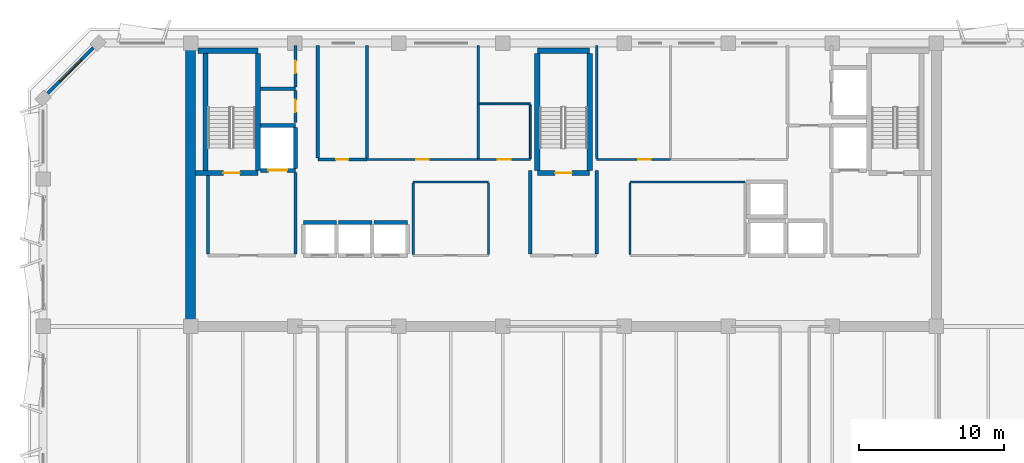
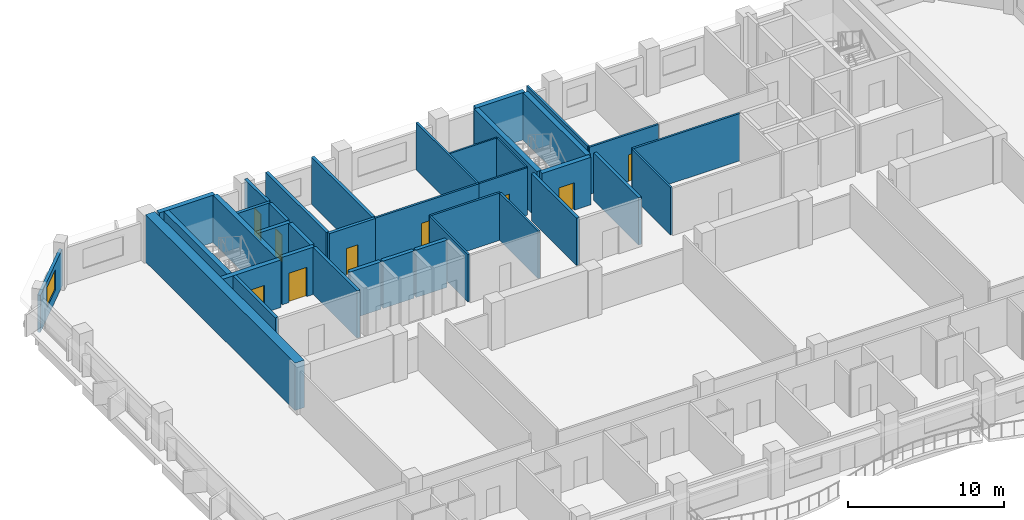
# One storey, part 6 of 11: 38 walls, 9 doors, 1 window, 10 openings.
"""IFC4 building model written with IfcOpenShell, lengths in metres."""

from ifc_helpers import new_model, si_unit, direction, frame, frame_2d, origin, place, context, subcontext, project, spatial, rectangle, extrude, material, layer, layer_set, type_object, element, fill, save


model = new_model("IFC4")

# Units and contexts
model_context = context("Model", 3, precision=1e-05, world=origin(), true_north=direction((0.0, 1.0)))
body_context = subcontext(model_context, "Body", "Model", "MODEL_VIEW")
ifc_project = project(units=[si_unit("LENGTHUNIT", "METRE"), si_unit("AREAUNIT", "SQUARE_METRE"), si_unit("VOLUMEUNIT", "CUBIC_METRE"), si_unit("PLANEANGLEUNIT", "RADIAN"), si_unit("MASSUNIT", "GRAM", prefix="KILO")], contexts=[model_context])

# Site, building, storey
site_placement = place(None, origin())
site = spatial("IfcSite", under=ifc_project, at=site_placement, CompositionType="ELEMENT")
building_placement = place(site_placement, origin())
building = spatial("IfcBuilding", under=site, at=building_placement, Name="Kaelvorn Grand Hotel", CompositionType="ELEMENT")
storey_placement = place(building_placement, frame((0.0, 0.0, 241.0)))
storey = spatial("IfcBuildingStorey", under=building, at=storey_placement, Name="L59", CompositionType="ELEMENT", Elevation=241.0)

# Wall
ifc_material_1 = material(Name="Concrete C50/60", Category="concrete")
ifc_layer_1 = layer(ifc_material_1, 0.699951171875)
ifc_layer_set_1 = layer_set([ifc_layer_1], Name="Concrete C50/60")
wall_type_1 = type_object("IfcWallType", Name="WL-CORE-700-C50", PredefinedType="SHEAR", material=ifc_layer_set_1)
wall_1_placement = place(storey_placement, frame((16.199951171875, 29.39990234375, 0.0), z_axis=(0.0, 0.0, 1.0), x_axis=(0.0, 1.0, 0.0)))
element("IfcWall", 1, at=wall_1_placement, inside=storey, type_object=wall_type_1, Name="L59 Rear-Core West Shear Wall", PredefinedType="SHEAR", context=body_context, shape_type="SweptSolid", body=[
    extrude(rectangle(XDim=19.2001953125, YDim=0.699951171875, at=frame_2d((9.60009765625, 0.0))), origin(), (0.0, 0.0, 1.0), 3.7099609375),
])

# Wall, opening, window
ifc_material_2 = material(Name="Concrete C40/50", Category="concrete")
ifc_layer_2 = layer(ifc_material_2, 0.219970703125)
ifc_layer_set_2 = layer_set([ifc_layer_2], Name="Concrete C40/50")
wall_type_2 = type_object("IfcWallType", Name="WL-EXT-220-C40", PredefinedType="SOLIDWALL", material=ifc_layer_set_2)
wall_2_placement = place(storey_placement, frame((9.800048828125, 49.0, 0.0), z_axis=(0.0, 0.0, 1.0), x_axis=(-0.707106781187, -0.707106781187, 0.0)))
wall_2 = element("IfcWall", 2, at=wall_2_placement, inside=storey, type_object=wall_type_2, Name="L59 Exterior Architectural Concrete Wall 06", PredefinedType="SOLIDWALL", context=body_context, shape_type="SweptSolid", body=[
    extrude(rectangle(XDim=5.3740234375, YDim=0.219970703125, at=frame_2d((2.68701171875, 0.0))), origin(), (0.0, 0.0, 1.0), 2.909912109375),
])
opening_1_placement = place(wall_2_placement, frame((1.636962890625, 0.0, 0.85009765625)))
opening_1 = element("IfcOpeningElement", 3, at=opening_1_placement, cuts=wall_2, Name="Opening W7", PredefinedType="OPENING", context=body_context, shape_type="SweptSolid", body=[
    extrude(rectangle(XDim=2.10009765625, YDim=1.60009765625, at=frame_2d((1.050048828125, 0.800048828125))), frame((0.0, 0.1201171875, 0.0), z_axis=(0.0, -1.0, 0.0), x_axis=(1.0, 0.0, 0.0)), (0.0, 0.0, 1.0), 0.239990234375),
])
ifc_material_3 = material(Name="Laminated Low-E Glass", Category="glass")
window_type = type_object("IfcWindowType", Name="WIN-CHM-2100x1600", PartitioningType="SINGLE_PANEL", PredefinedType="WINDOW", material=ifc_material_3)
window_placement = place(opening_1_placement, origin())
window = element("IfcWindow", 4, at=window_placement, inside=storey, type_object=window_type, Name="L59 Chamfered 45-Degree Corner Window NW", OverallHeight=1.60009765625, OverallWidth=2.10009765625, PartitioningType="SINGLE_PANEL", PredefinedType="WINDOW", context=body_context, shape_type="SweptSolid", body=[
    extrude(rectangle(XDim=2.10009765625, YDim=1.60009765625, at=frame_2d((1.050048828125, 0.800048828125))), frame((0.0, 0.030029296875, 0.0), z_axis=(0.0, -1.0, 0.0), x_axis=(1.0, 0.0, 0.0)), (0.0, 0.0, 1.0), 0.06005859375),
])
fill(opening_1, window)

# Wall, opening, door
ifc_material_4 = material(Name="Moisture-Resistant Tile & Stud Board")
ifc_layer_3 = layer(ifc_material_4, 0.125)
ifc_layer_set_3 = layer_set([ifc_layer_3], Name="Moisture-Resistant Tile & Stud Board")
wall_type_3 = type_object("IfcWallType", Name="WL-PART-125-WET", PredefinedType="PARTITIONING", material=ifc_layer_set_3)
wall_3_placement = place(storey_placement, frame((36.110107421875, 40.949951171875, 0.0), z_axis=(0.0, 0.0, 1.0), x_axis=(1.0, 0.0, 0.0)))
wall_3 = element("IfcWall", 5, at=wall_3_placement, inside=storey, type_object=wall_type_3, Name="L59 Accessible WC S Partition", PredefinedType="PARTITIONING", context=body_context, shape_type="SweptSolid", body=[
    extrude(rectangle(XDim=3.58984375, YDim=0.125, at=frame_2d((1.794921875, 0.0))), origin(), (0.0, 0.0, 1.0), 3.7099609375),
])
opening_2_placement = place(wall_3_placement, frame((1.340087890625, 0.0, 0.0)))
opening_2 = element("IfcOpeningElement", 6, at=opening_2_placement, cuts=wall_3, Name="Opening DI4", PredefinedType="OPENING", context=body_context, shape_type="SweptSolid", body=[
    extrude(rectangle(XDim=0.89990234375, YDim=2.10009765625, at=frame_2d((0.449951171875, 1.050048828125))), frame((0.0, 0.072509765625, 0.0), z_axis=(0.0, -1.0, 0.0), x_axis=(1.0, 0.0, 0.0)), (0.0, 0.0, 1.0), 0.14501953125),
])
ifc_material_5 = material(Name="Timber Veneer Leaf", Category="wood")
door_type_1 = type_object("IfcDoorType", Name="DR-INT-BATH-900x2100", OperationType="NOTDEFINED", PredefinedType="DOOR", material=ifc_material_5)
door_1_placement = place(opening_2_placement, origin())
door_1 = element("IfcDoor", 7, at=door_1_placement, inside=storey, type_object=door_type_1, Name="L59 Accessible WC Door", OperationType="SINGLE_SWING_RIGHT", OverallHeight=2.10009765625, OverallWidth=0.89990234375, PredefinedType="DOOR", context=body_context, shape_type="SweptSolid", body=[
    extrude(rectangle(XDim=0.89990234375, YDim=2.10009765625, at=frame_2d((0.449951171875, 1.050048828125))), frame((0.0, 0.02490234375, 0.0), z_axis=(0.0, -1.0, 0.0), x_axis=(1.0, 0.0, 0.0)), (0.0, 0.0, 1.0), 0.050048828125),
])
fill(opening_2, door_1)

# Walls
wall_4_placement = place(storey_placement, frame((36.179931640625, 44.800048828125, 0.0), z_axis=(0.0, 0.0, 1.0), x_axis=(1.0, 0.0, 0.0)))
element("IfcWall", 8, at=wall_4_placement, inside=storey, type_object=wall_type_3, Name="L59 Accessible WC N Partition", PredefinedType="PARTITIONING", context=body_context, shape_type="SweptSolid", body=[
    extrude(rectangle(XDim=3.52001953125, YDim=0.125, at=frame_2d((1.760009765625, 0.0))), origin(), (0.0, 0.0, 1.0), 3.7099609375),
])
wall_5_placement = place(storey_placement, frame((39.699951171875, 41.017578125, 0.0), z_axis=(0.0, 0.0, 1.0), x_axis=(0.0, 1.0, 0.0)))
element("IfcWall", 9, at=wall_5_placement, inside=storey, type_object=wall_type_3, Name="L59 Accessible WC E Partition", PredefinedType="PARTITIONING", context=body_context, shape_type="SweptSolid", body=[
    extrude(rectangle(XDim=3.71484375, YDim=0.125, at=frame_2d((1.857421875, 0.0))), origin(), (0.0, 0.0, 1.0), 3.7099609375),
])
ifc_material_6 = material(Name="Acoustic Gypsum & Stud Partition")
ifc_layer_4 = layer(ifc_material_6, 0.14990234375)
ifc_layer_set_4 = layer_set([ifc_layer_4], Name="Acoustic Gypsum & Stud Partition")
wall_type_4 = type_object("IfcWallType", Name="WL-PART-150-EI60", PredefinedType="PARTITIONING", material=ifc_layer_set_4)
wall_6_placement = place(storey_placement, frame((31.60009765625, 39.39990234375, 0.0), z_axis=(0.0, 0.0, 1.0), x_axis=(1.0, 0.0, 0.0)))
element("IfcWall", 10, at=wall_6_placement, inside=storey, type_object=wall_type_4, Name="L59 Core Telecoms & BMS Server Room N Partition", PredefinedType="PARTITIONING", context=body_context, shape_type="SweptSolid", body=[
    extrude(rectangle(XDim=5.199951171875, YDim=0.14990234375, at=frame_2d((2.60009765625, 0.0))), origin(), (0.0, 0.0, 1.0), 3.7099609375),
])
for number, where, z_axis, x_axis, name in (
    (11, (31.60009765625, 34.3798828125, 0.0), (0.0, 0.0, 1.0), (0.0, 1.0, 0.0), "L59 Core Telecoms & BMS Server Room W Partition"),
    (12, (36.800048828125, 34.3798828125, 0.0), (0.0, 0.0, 1.0), (0.0, 1.0, 0.0), "L59 Core Telecoms & BMS Server Room E Partition"),
):
    element("IfcWall", number, at=place(storey_placement, frame(where, z_axis=z_axis, x_axis=x_axis)), inside=storey, type_object=wall_type_4, Name=name, PredefinedType="PARTITIONING", context=body_context, shape_type="SweptSolid", body=[
        extrude(rectangle(XDim=4.940185546875, YDim=0.14990234375, at=frame_2d((2.47021484375, 0.0))), origin(), (0.0, 0.0, 1.0), 3.7099609375),
    ])
wall_7_placement = place(storey_placement, frame((46.60009765625, 39.39990234375, 0.0), z_axis=(0.0, 0.0, 1.0), x_axis=(1.0, 0.0, 0.0)))
element("IfcWall", 13, at=wall_7_placement, inside=storey, type_object=wall_type_4, Name="L59 Sky Concierge & Butler Pantry Lounge N Partition", PredefinedType="PARTITIONING", context=body_context, shape_type="SweptSolid", body=[
    extrude(rectangle(XDim=7.949951171875, YDim=0.14990234375, at=frame_2d((3.97509765625, 0.0))), origin(), (0.0, 0.0, 1.0), 3.7099609375),
])
wall_8_placement = place(storey_placement, frame((46.60009765625, 34.3798828125, 0.0), z_axis=(0.0, 0.0, 1.0), x_axis=(0.0, 1.0, 0.0)))
element("IfcWall", 14, at=wall_8_placement, inside=storey, type_object=wall_type_4, Name="L59 Sky Concierge & Butler Pantry Lounge W Partition", PredefinedType="PARTITIONING", context=body_context, shape_type="SweptSolid", body=[
    extrude(rectangle(XDim=4.940185546875, YDim=0.14990234375, at=frame_2d((2.47021484375, 0.0))), origin(), (0.0, 0.0, 1.0), 3.7099609375),
])

# Wall, opening, door
wall_9_placement = place(storey_placement, frame((28.409912109375, 40.949951171875, 0.0), z_axis=(0.0, 0.0, 1.0), x_axis=(1.0, 0.0, 0.0)))
wall_9 = element("IfcWall", 15, at=wall_9_placement, inside=storey, type_object=wall_type_4, Name="L59 Housekeeping & Linen Room S Partition", PredefinedType="PARTITIONING", context=body_context, shape_type="SweptSolid", body=[
    extrude(rectangle(XDim=7.690185546875, YDim=0.14990234375, at=frame_2d((3.84521484375, 0.0))), origin(), (0.0, 0.0, 1.0), 3.7099609375),
])
opening_3_placement = place(wall_9_placement, frame((3.4150390625, 0.0, 0.0)))
opening_3 = element("IfcOpeningElement", 16, at=opening_3_placement, cuts=wall_9, Name="Opening DI7", PredefinedType="OPENING", context=body_context, shape_type="SweptSolid", body=[
    extrude(rectangle(XDim=0.85009765625, YDim=2.10009765625, at=frame_2d((0.425048828125, 1.050048828125))), frame((0.0, 0.0849609375, 0.0), z_axis=(0.0, -1.0, 0.0), x_axis=(1.0, 0.0, 0.0)), (0.0, 0.0, 1.0), 0.169921875),
])
ifc_material_7 = material(Name="Powder-Coated Steel Leaf", Category="steel")
door_type_2 = type_object("IfcDoorType", Name="DR-INT-RISER-850x2100", OperationType="NOTDEFINED", PredefinedType="DOOR", material=ifc_material_7)
door_2_placement = place(opening_3_placement, origin())
door_2 = element("IfcDoor", 17, at=door_2_placement, inside=storey, type_object=door_type_2, Name="L59 Housekeeping & Linen Room Door", OperationType="SINGLE_SWING_LEFT", OverallHeight=2.10009765625, OverallWidth=0.85009765625, PredefinedType="DOOR", context=body_context, shape_type="SweptSolid", body=[
    extrude(rectangle(XDim=0.85009765625, YDim=2.10009765625, at=frame_2d((0.425048828125, 1.050048828125))), frame((0.0, 0.02490234375, 0.0), z_axis=(0.0, -1.0, 0.0), x_axis=(1.0, 0.0, 0.0)), (0.0, 0.0, 1.0), 0.050048828125),
])
fill(opening_3, door_2)

# Wall
wall_10_placement = place(storey_placement, frame((36.10009765625, 41.030029296875, 0.0), z_axis=(0.0, 0.0, 1.0), x_axis=(0.0, 1.0, 0.0)))
element("IfcWall", 18, at=wall_10_placement, inside=storey, type_object=wall_type_4, Name="L59 Housekeeping & Linen Room E Partition", PredefinedType="PARTITIONING", context=body_context, shape_type="SweptSolid", body=[
    extrude(rectangle(XDim=7.820068359375, YDim=0.14990234375, at=frame_2d((3.91015625, 0.0))), origin(), (0.0, 0.0, 1.0), 3.7099609375),
])

# Wall, opening, door
wall_11_placement = place(storey_placement, frame((44.300048828125, 40.949951171875, 0.0), z_axis=(0.0, 0.0, 1.0), x_axis=(1.0, 0.0, 0.0)))
wall_11 = element("IfcWall", 19, at=wall_11_placement, inside=storey, type_object=wall_type_4, Name="L59 Laundry Chute Vestibule S Partition", PredefinedType="PARTITIONING", context=body_context, shape_type="SweptSolid", body=[
    extrude(rectangle(XDim=5.099853515625, YDim=0.14990234375, at=frame_2d((2.5498046875, 0.0))), origin(), (0.0, 0.0, 1.0), 3.7099609375),
])
opening_4_placement = place(wall_11_placement, frame((2.875, 0.0, 0.0)))
opening_4 = element("IfcOpeningElement", 20, at=opening_4_placement, cuts=wall_11, Name="Opening DI7", PredefinedType="OPENING", context=body_context, shape_type="SweptSolid", body=[
    extrude(rectangle(XDim=0.85009765625, YDim=2.10009765625, at=frame_2d((0.425048828125, 1.050048828125))), frame((0.0, 0.0849609375, 0.0), z_axis=(0.0, -1.0, 0.0), x_axis=(1.0, 0.0, 0.0)), (0.0, 0.0, 1.0), 0.169921875),
])
door_3_placement = place(opening_4_placement, origin())
door_3 = element("IfcDoor", 21, at=door_3_placement, inside=storey, type_object=door_type_2, Name="L59 Laundry Chute Vestibule Door", OperationType="SINGLE_SWING_LEFT", OverallHeight=2.10009765625, OverallWidth=0.85009765625, PredefinedType="DOOR", context=body_context, shape_type="SweptSolid", body=[
    extrude(rectangle(XDim=0.85009765625, YDim=2.10009765625, at=frame_2d((0.425048828125, 1.050048828125))), frame((0.0, 0.02490234375, 0.0), z_axis=(0.0, -1.0, 0.0), x_axis=(1.0, 0.0, 0.0)), (0.0, 0.0, 1.0), 0.050048828125),
])
fill(opening_4, door_3)

# Walls
wall_12_placement = place(storey_placement, frame((44.300048828125, 41.030029296875, 0.0), z_axis=(0.0, 0.0, 1.0), x_axis=(0.0, 1.0, 0.0)))
element("IfcWall", 22, at=wall_12_placement, inside=storey, type_object=wall_type_4, Name="L59 Laundry Chute Vestibule W Partition", PredefinedType="PARTITIONING", context=body_context, shape_type="SweptSolid", body=[
    extrude(rectangle(XDim=7.820068359375, YDim=0.14990234375, at=frame_2d((3.91015625, 0.0))), origin(), (0.0, 0.0, 1.0), 3.7099609375),
])
ifc_layer_5 = layer(ifc_material_2, 0.219970703125)
ifc_layer_set_5 = layer_set([ifc_layer_5], Name="Concrete C40/50")
wall_type_5 = type_object("IfcWallType", Name="WL-PART-220-EI120", PredefinedType="PARTITIONING", material=ifc_layer_set_5)
wall_13_placement = place(storey_placement, frame((17.39990234375, 34.4150390625, 0.0), z_axis=(0.0, 0.0, 1.0), x_axis=(0.0, 1.0, 0.0)))
element("IfcWall", 23, at=wall_13_placement, inside=storey, type_object=wall_type_5, Name="L59 Firefighting Lift Lobby 1 W Partition", PredefinedType="PARTITIONING", context=body_context, shape_type="SweptSolid", body=[
    extrude(rectangle(XDim=5.429931640625, YDim=0.219970703125, at=frame_2d((2.71484375, 0.0))), origin(), (0.0, 0.0, 1.0), 3.7099609375),
])
wall_14_placement = place(storey_placement, frame((23.449951171875, 34.4150390625, 0.0), z_axis=(0.0, 0.0, 1.0), x_axis=(0.0, 1.0, 0.0)))
element("IfcWall", 24, at=wall_14_placement, inside=storey, type_object=wall_type_5, Name="L59 Firefighting Lift Lobby 1 E Partition", PredefinedType="PARTITIONING", context=body_context, shape_type="SweptSolid", body=[
    extrude(rectangle(XDim=5.639892578125, YDim=0.219970703125, at=frame_2d((2.81982421875, 0.0))), origin(), (0.0, 0.0, 1.0), 3.7099609375),
])
for number, where, z_axis, x_axis, name in (
    (25, (39.699951171875, 34.4150390625, 0.0), (0.0, 0.0, 1.0), (0.0, 1.0, 0.0), "L59 Central Stair Escape Vestibule W Partition"),
    (26, (44.300048828125, 34.4150390625, 0.0), (0.0, 0.0, 1.0), (0.0, 1.0, 0.0), "L59 Central Stair Escape Vestibule E Partition"),
):
    element("IfcWall", number, at=place(storey_placement, frame(where, z_axis=z_axis, x_axis=x_axis)), inside=storey, type_object=wall_type_5, Name=name, PredefinedType="PARTITIONING", context=body_context, shape_type="SweptSolid", body=[
        extrude(rectangle(XDim=5.784912109375, YDim=0.219970703125, at=frame_2d((2.892578125, 0.0))), origin(), (0.0, 0.0, 1.0), 3.7099609375),
    ])
wall_15_placement = place(storey_placement, frame((21.034912109375, 45.85009765625, 0.0), z_axis=(0.0, 0.0, 1.0), x_axis=(1.0, 0.0, 0.0)))
element("IfcWall", 27, at=wall_15_placement, inside=storey, type_object=wall_type_5, Name="L59 Wet Fire & Plumbing Riser Shaft N Partition", PredefinedType="PARTITIONING", context=body_context, shape_type="SweptSolid", body=[
    extrude(rectangle(XDim=2.4150390625, YDim=0.219970703125, at=frame_2d((1.20751953125, 0.0))), origin(), (0.0, 0.0, 1.0), 3.7099609375),
])

# Wall, opening, door
wall_16_placement = place(storey_placement, frame((23.449951171875, 43.5, 0.0), z_axis=(0.0, 0.0, 1.0), x_axis=(0.0, 1.0, 0.0)))
wall_16 = element("IfcWall", 28, at=wall_16_placement, inside=storey, type_object=wall_type_5, Name="L59 Wet Fire & Plumbing Riser Shaft E Partition", PredefinedType="PARTITIONING", context=body_context, shape_type="SweptSolid", body=[
    extrude(rectangle(XDim=2.235107421875, YDim=0.219970703125, at=frame_2d((1.11767578125, 0.0))), origin(), (0.0, 0.0, 1.0), 3.7099609375),
])
opening_5_placement = place(wall_16_placement, frame((0.72509765625, 0.0, 0.0)))
opening_5 = element("IfcOpeningElement", 29, at=opening_5_placement, cuts=wall_16, Name="Opening DI7", PredefinedType="OPENING", context=body_context, shape_type="SweptSolid", body=[
    extrude(rectangle(XDim=0.85009765625, YDim=2.10009765625, at=frame_2d((0.425048828125, 1.050048828125))), frame((0.0, 0.1201171875, 0.0), z_axis=(0.0, -1.0, 0.0), x_axis=(1.0, 0.0, 0.0)), (0.0, 0.0, 1.0), 0.239990234375),
])
door_4_placement = place(opening_5_placement, origin())
door_4 = element("IfcDoor", 30, at=door_4_placement, inside=storey, type_object=door_type_2, Name="L59 Wet Fire & Plumbing Riser Shaft Door", OperationType="SINGLE_SWING_RIGHT", OverallHeight=2.10009765625, OverallWidth=0.85009765625, PredefinedType="DOOR", context=body_context, shape_type="SweptSolid", body=[
    extrude(rectangle(XDim=0.85009765625, YDim=2.10009765625, at=frame_2d((0.425048828125, 1.050048828125))), frame((0.0, 0.02490234375, 0.0), z_axis=(0.0, -1.0, 0.0), x_axis=(1.0, 0.0, 0.0)), (0.0, 0.0, 1.0), 0.050048828125),
])
fill(opening_5, door_4)

wall_17_placement = place(storey_placement, frame((23.449951171875, 45.965087890625, 0.0), z_axis=(0.0, 0.0, 1.0), x_axis=(0.0, 1.0, 0.0)))
wall_17 = element("IfcWall", 31, at=wall_17_placement, inside=storey, type_object=wall_type_5, Name="L59 HV Electrical & Smoke Riser E Partition", PredefinedType="PARTITIONING", context=body_context, shape_type="SweptSolid", body=[
    extrude(rectangle(XDim=2.885009765625, YDim=0.219970703125, at=frame_2d((1.4423828125, 0.0))), origin(), (0.0, 0.0, 1.0), 3.7099609375),
])
opening_6_placement = place(wall_17_placement, frame((0.9599609375, 0.0, 0.0)))
opening_6 = element("IfcOpeningElement", 32, at=opening_6_placement, cuts=wall_17, Name="Opening DI7", PredefinedType="OPENING", context=body_context, shape_type="SweptSolid", body=[
    extrude(rectangle(XDim=0.85009765625, YDim=2.10009765625, at=frame_2d((0.425048828125, 1.050048828125))), frame((0.0, 0.1201171875, 0.0), z_axis=(0.0, -1.0, 0.0), x_axis=(1.0, 0.0, 0.0)), (0.0, 0.0, 1.0), 0.239990234375),
])
door_5_placement = place(opening_6_placement, origin())
door_5 = element("IfcDoor", 33, at=door_5_placement, inside=storey, type_object=door_type_2, Name="L59 HV Electrical & Smoke Riser Door", OperationType="SINGLE_SWING_LEFT", OverallHeight=2.10009765625, OverallWidth=0.85009765625, PredefinedType="DOOR", context=body_context, shape_type="SweptSolid", body=[
    extrude(rectangle(XDim=0.85009765625, YDim=2.10009765625, at=frame_2d((0.425048828125, 1.050048828125))), frame((0.0, 0.02490234375, 0.0), z_axis=(0.0, -1.0, 0.0), x_axis=(1.0, 0.0, 0.0)), (0.0, 0.0, 1.0), 0.050048828125),
])
fill(opening_6, door_5)

wall_18_placement = place(storey_placement, frame((25.0, 40.949951171875, 0.0), z_axis=(0.0, 0.0, 1.0), x_axis=(1.0, 0.0, 0.0)))
wall_18 = element("IfcWall", 34, at=wall_18_placement, inside=storey, type_object=wall_type_5, Name="L59 Electrical Distribution Room S Partition", PredefinedType="PARTITIONING", context=body_context, shape_type="SweptSolid", body=[
    extrude(rectangle(XDim=3.39990234375, YDim=0.219970703125, at=frame_2d((1.699951171875, 0.0))), origin(), (0.0, 0.0, 1.0), 3.7099609375),
])
opening_7_placement = place(wall_18_placement, frame((1.27490234375, 0.0, 0.0)))
opening_7 = element("IfcOpeningElement", 35, at=opening_7_placement, cuts=wall_18, Name="Opening DI7", PredefinedType="OPENING", context=body_context, shape_type="SweptSolid", body=[
    extrude(rectangle(XDim=0.85009765625, YDim=2.10009765625, at=frame_2d((0.425048828125, 1.050048828125))), frame((0.0, 0.1201171875, 0.0), z_axis=(0.0, -1.0, 0.0), x_axis=(1.0, 0.0, 0.0)), (0.0, 0.0, 1.0), 0.239990234375),
])
door_6_placement = place(opening_7_placement, origin())
door_6 = element("IfcDoor", 36, at=door_6_placement, inside=storey, type_object=door_type_2, Name="L59 Electrical Distribution Room Door", OperationType="SINGLE_SWING_RIGHT", OverallHeight=2.10009765625, OverallWidth=0.85009765625, PredefinedType="DOOR", context=body_context, shape_type="SweptSolid", body=[
    extrude(rectangle(XDim=0.85009765625, YDim=2.10009765625, at=frame_2d((0.425048828125, 1.050048828125))), frame((0.0, 0.02490234375, 0.0), z_axis=(0.0, -1.0, 0.0), x_axis=(1.0, 0.0, 0.0)), (0.0, 0.0, 1.0), 0.050048828125),
])
fill(opening_7, door_6)

# Walls
for number, where, z_axis, x_axis, name in (
    (37, (25.0, 41.06494140625, 0.0), (0.0, 0.0, 1.0), (0.0, 1.0, 0.0), "L59 Electrical Distribution Room W Partition"),
    (38, (28.39990234375, 41.06494140625, 0.0), (0.0, 0.0, 1.0), (0.0, 1.0, 0.0), "L59 Electrical Distribution Room E Partition"),
):
    element("IfcWall", number, at=place(storey_placement, frame(where, z_axis=z_axis, x_axis=x_axis)), inside=storey, type_object=wall_type_5, Name=name, PredefinedType="PARTITIONING", context=body_context, shape_type="SweptSolid", body=[
        extrude(rectangle(XDim=7.78515625, YDim=0.219970703125, at=frame_2d((3.892578125, 0.0))), origin(), (0.0, 0.0, 1.0), 3.7099609375),
    ])
ifc_layer_6 = layer(ifc_material_1, 0.280029296875)
ifc_layer_set_6 = layer_set([ifc_layer_6], Name="Concrete C50/60")
wall_type_6 = type_object("IfcWallType", Name="WL-SHAFT-280-C50", PredefinedType="SHEAR", material=ifc_layer_set_6)
for number, where, z_axis, x_axis, name in (
    (39, (24.0, 36.60009765625, 0.0), (0.0, 0.0, 1.0), (1.0, 0.0, 0.0), "L59 Lift PL-H1 Shaft North Wall"),
    (40, (26.449951171875, 36.60009765625, 0.0), (0.0, 0.0, 1.0), (1.0, 0.0, 0.0), "L59 Lift PL-H2 Shaft North Wall"),
    (41, (28.89990234375, 36.60009765625, 0.0), (0.0, 0.0, 1.0), (1.0, 0.0, 0.0), "L59 Lift PL-H3 Shaft North Wall"),
):
    element("IfcWall", number, at=place(storey_placement, frame(where, z_axis=z_axis, x_axis=x_axis)), inside=storey, type_object=wall_type_6, Name=name, PredefinedType="SHEAR", context=body_context, shape_type="SweptSolid", body=[
        extrude(rectangle(XDim=2.300048828125, YDim=0.280029296875, at=frame_2d((1.14990234375, 0.0))), origin(), (0.0, 0.0, 1.0), 3.7099609375),
    ])

# Wall, opening, door
wall_19_placement = place(storey_placement, frame((21.034912109375, 40.199951171875, 0.0), z_axis=(0.0, 0.0, 1.0), x_axis=(1.0, 0.0, 0.0)))
wall_19 = element("IfcWall", 42, at=wall_19_placement, inside=storey, type_object=wall_type_6, Name="L59 Lift FFL1 Shaft South Wall", PredefinedType="SHEAR", context=body_context, shape_type="SweptSolid", body=[
    extrude(rectangle(XDim=2.4150390625, YDim=0.280029296875, at=frame_2d((1.20751953125, 0.0))), origin(), (0.0, 0.0, 1.0), 3.7099609375),
])
opening_8_placement = place(wall_19_placement, frame((0.5400390625, 0.0, 0.0)))
opening_8 = element("IfcOpeningElement", 43, at=opening_8_placement, cuts=wall_19, Name="Opening LD-FFL1", PredefinedType="OPENING", context=body_context, shape_type="SweptSolid", body=[
    extrude(rectangle(XDim=1.300048828125, YDim=2.300048828125, at=frame_2d((0.64990234375, 1.14990234375))), frame((0.0, 0.14990234375, 0.0), z_axis=(0.0, -1.0, 0.0), x_axis=(1.0, 0.0, 0.0)), (0.0, 0.0, 1.0), 0.300048828125),
])
ifc_material_8 = material(Name="Stainless Steel", Category="steel")
door_type_3 = type_object("IfcDoorType", Name="DR-LIFT-SERV-1300x2300", OperationType="DOUBLE_DOOR_SLIDING", PredefinedType="DOOR", material=ifc_material_8)
door_7_placement = place(opening_8_placement, origin())
door_7 = element("IfcDoor", 44, at=door_7_placement, inside=storey, type_object=door_type_3, Name="L59 Lift FFL1 Sliding Landing Door LD-FFL1", OperationType="DOUBLE_DOOR_SLIDING", OverallHeight=2.300048828125, OverallWidth=1.300048828125, PredefinedType="DOOR", context=body_context, shape_type="SweptSolid", body=[
    extrude(rectangle(XDim=1.300048828125, YDim=2.300048828125, at=frame_2d((0.64990234375, 1.14990234375))), frame((0.0, 0.02490234375, 0.0), z_axis=(0.0, -1.0, 0.0), x_axis=(1.0, 0.0, 0.0)), (0.0, 0.0, 1.0), 0.050048828125),
])
fill(opening_8, door_7)

# Walls
wall_20_placement = place(storey_placement, frame((21.034912109375, 43.300048828125, 0.0), z_axis=(0.0, 0.0, 1.0), x_axis=(1.0, 0.0, 0.0)))
element("IfcWall", 45, at=wall_20_placement, inside=storey, type_object=wall_type_6, Name="L59 Lift FFL1 Shaft North Wall", PredefinedType="SHEAR", context=body_context, shape_type="SweptSolid", body=[
    extrude(rectangle(XDim=2.4150390625, YDim=0.280029296875, at=frame_2d((1.20751953125, 0.0))), origin(), (0.0, 0.0, 1.0), 3.7099609375),
])
wall_21_placement = place(storey_placement, frame((23.449951171875, 40.344970703125, 0.0), z_axis=(0.0, 0.0, 1.0), x_axis=(0.0, 1.0, 0.0)))
element("IfcWall", 46, at=wall_21_placement, inside=storey, type_object=wall_type_6, Name="L59 Lift FFL1 Shaft East Wall", PredefinedType="SHEAR", context=body_context, shape_type="SweptSolid", body=[
    extrude(rectangle(XDim=2.81005859375, YDim=0.280029296875, at=frame_2d((1.405029296875, 0.0))), origin(), (0.0, 0.0, 1.0), 3.7099609375),
])

# Wall, opening, door
ifc_material_9 = material(Name="Concrete C60/75", Category="concrete")
ifc_layer_7 = layer(ifc_material_9, 0.35009765625)
ifc_layer_set_7 = layer_set([ifc_layer_7], Name="Concrete C60/75")
wall_type_7 = type_object("IfcWallType", Name="WL-SHAFT-350-C60", PredefinedType="SHEAR", material=ifc_layer_set_7)
wall_22_placement = place(storey_placement, frame((16.554931640625, 40.02490234375, 0.0), z_axis=(0.0, 0.0, 1.0), x_axis=(1.0, 0.0, 0.0)))
wall_22 = element("IfcWall", 47, at=wall_22_placement, inside=storey, type_object=wall_type_7, Name="L59 ST1 Stair Shaft South Wall", PredefinedType="SHEAR", context=body_context, shape_type="SweptSolid", body=[
    extrude(rectangle(XDim=4.300048828125, YDim=0.35009765625, at=frame_2d((2.14990234375, 0.0))), origin(), (0.0, 0.0, 1.0), 3.7099609375),
])
opening_9_placement = place(wall_22_placement, frame((1.909912109375, 0.0, 0.0)))
opening_9 = element("IfcOpeningElement", 48, at=opening_9_placement, cuts=wall_22, Name="Opening DI1", PredefinedType="OPENING", context=body_context, shape_type="SweptSolid", body=[
    extrude(rectangle(XDim=1.14990234375, YDim=2.14990234375, at=frame_2d((0.574951171875, 1.074951171875))), frame((0.0, 0.18505859375, 0.0), z_axis=(0.0, -1.0, 0.0), x_axis=(1.0, 0.0, 0.0)), (0.0, 0.0, 1.0), 0.3701171875),
])
ifc_material_10 = material(Name="Timber Veneer Fire Leaf", Category="wood")
door_type_4 = type_object("IfcDoorType", Name="DR-INT-STAIR-1150x2150", OperationType="NOTDEFINED", PredefinedType="DOOR", material=ifc_material_10)
door_8_placement = place(opening_9_placement, origin())
door_8 = element("IfcDoor", 49, at=door_8_placement, inside=storey, type_object=door_type_4, Name="L59 ST1 Exit Stair Fire Door", OperationType="SINGLE_SWING_LEFT", OverallHeight=2.14990234375, OverallWidth=1.14990234375, PredefinedType="DOOR", context=body_context, shape_type="SweptSolid", body=[
    extrude(rectangle(XDim=1.14990234375, YDim=2.14990234375, at=frame_2d((0.574951171875, 1.074951171875))), frame((0.0, 0.02490234375, 0.0), z_axis=(0.0, -1.0, 0.0), x_axis=(1.0, 0.0, 0.0)), (0.0, 0.0, 1.0), 0.050048828125),
])
fill(opening_9, door_8)

# Walls
wall_23_placement = place(storey_placement, frame((16.705078125, 48.47509765625, 0.0), z_axis=(0.0, 0.0, 1.0), x_axis=(1.0, 0.0, 0.0)))
element("IfcWall", 50, at=wall_23_placement, inside=storey, type_object=wall_type_7, Name="L59 ST1 Stair Shaft North Wall", PredefinedType="SHEAR", context=body_context, shape_type="SweptSolid", body=[
    extrude(rectangle(XDim=4.14990234375, YDim=0.35009765625, at=frame_2d((2.074951171875, 0.0))), origin(), (0.0, 0.0, 1.0), 3.7099609375),
])
for number, where, z_axis, x_axis, name in (
    (51, (17.22509765625, 40.205078125, 0.0), (0.0, 0.0, 1.0), (0.0, 1.0, 0.0), "L59 ST1 Stair Shaft West Wall"),
    (52, (20.85498046875, 40.205078125, 0.0), (0.0, 0.0, 1.0), (0.0, 1.0, 0.0), "L59 ST1 Stair Shaft East Wall"),
):
    element("IfcWall", number, at=place(storey_placement, frame(where, z_axis=z_axis, x_axis=x_axis)), inside=storey, type_object=wall_type_7, Name=name, PredefinedType="SHEAR", context=body_context, shape_type="SweptSolid", body=[
        extrude(rectangle(XDim=8.08984375, YDim=0.35009765625, at=frame_2d((4.044921875, 0.0))), origin(), (0.0, 0.0, 1.0), 3.7099609375),
    ])

# Wall, opening, door
wall_24_placement = place(storey_placement, frame((40.18505859375, 40.02490234375, 0.0), z_axis=(0.0, 0.0, 1.0), x_axis=(1.0, 0.0, 0.0)))
wall_24 = element("IfcWall", 53, at=wall_24_placement, inside=storey, type_object=wall_type_7, Name="L59 ST2 Stair Shaft South Wall", PredefinedType="SHEAR", context=body_context, shape_type="SweptSolid", body=[
    extrude(rectangle(XDim=3.6298828125, YDim=0.35009765625, at=frame_2d((1.81494140625, 0.0))), origin(), (0.0, 0.0, 1.0), 3.7099609375),
])
opening_10_placement = place(wall_24_placement, frame((1.239990234375, 0.0, 0.0)))
opening_10 = element("IfcOpeningElement", 54, at=opening_10_placement, cuts=wall_24, Name="Opening DI1", PredefinedType="OPENING", context=body_context, shape_type="SweptSolid", body=[
    extrude(rectangle(XDim=1.14990234375, YDim=2.14990234375, at=frame_2d((0.574951171875, 1.074951171875))), frame((0.0, 0.18505859375, 0.0), z_axis=(0.0, -1.0, 0.0), x_axis=(1.0, 0.0, 0.0)), (0.0, 0.0, 1.0), 0.3701171875),
])
door_9_placement = place(opening_10_placement, origin())
door_9 = element("IfcDoor", 55, at=door_9_placement, inside=storey, type_object=door_type_4, Name="L59 ST2 Exit Stair Fire Door", OperationType="SINGLE_SWING_RIGHT", OverallHeight=2.14990234375, OverallWidth=1.14990234375, PredefinedType="DOOR", context=body_context, shape_type="SweptSolid", body=[
    extrude(rectangle(XDim=1.14990234375, YDim=2.14990234375, at=frame_2d((0.574951171875, 1.074951171875))), frame((0.0, 0.02490234375, 0.0), z_axis=(0.0, -1.0, 0.0), x_axis=(1.0, 0.0, 0.0)), (0.0, 0.0, 1.0), 0.050048828125),
])
fill(opening_10, door_9)

# Walls
wall_25_placement = place(storey_placement, frame((40.18505859375, 48.47509765625, 0.0), z_axis=(0.0, 0.0, 1.0), x_axis=(1.0, 0.0, 0.0)))
element("IfcWall", 56, at=wall_25_placement, inside=storey, type_object=wall_type_7, Name="L59 ST2 Stair Shaft North Wall", PredefinedType="SHEAR", context=body_context, shape_type="SweptSolid", body=[
    extrude(rectangle(XDim=3.6298828125, YDim=0.35009765625, at=frame_2d((1.81494140625, 0.0))), origin(), (0.0, 0.0, 1.0), 3.7099609375),
])
for number, where, z_axis, x_axis, name in (
    (57, (40.18505859375, 40.205078125, 0.0), (0.0, 0.0, 1.0), (0.0, 1.0, 0.0), "L59 ST2 Stair Shaft West Wall"),
    (58, (43.81494140625, 40.205078125, 0.0), (0.0, 0.0, 1.0), (0.0, 1.0, 0.0), "L59 ST2 Stair Shaft East Wall"),
):
    element("IfcWall", number, at=place(storey_placement, frame(where, z_axis=z_axis, x_axis=x_axis)), inside=storey, type_object=wall_type_7, Name=name, PredefinedType="SHEAR", context=body_context, shape_type="SweptSolid", body=[
        extrude(rectangle(XDim=8.08984375, YDim=0.35009765625, at=frame_2d((4.044921875, 0.0))), origin(), (0.0, 0.0, 1.0), 3.7099609375),
    ])

save(model, "model.ifc")
